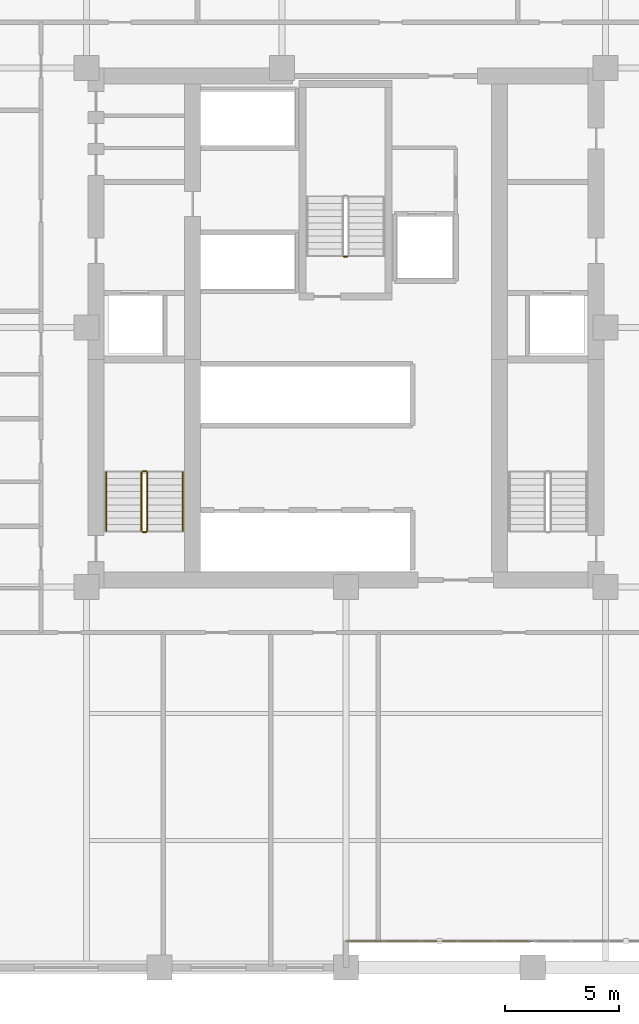
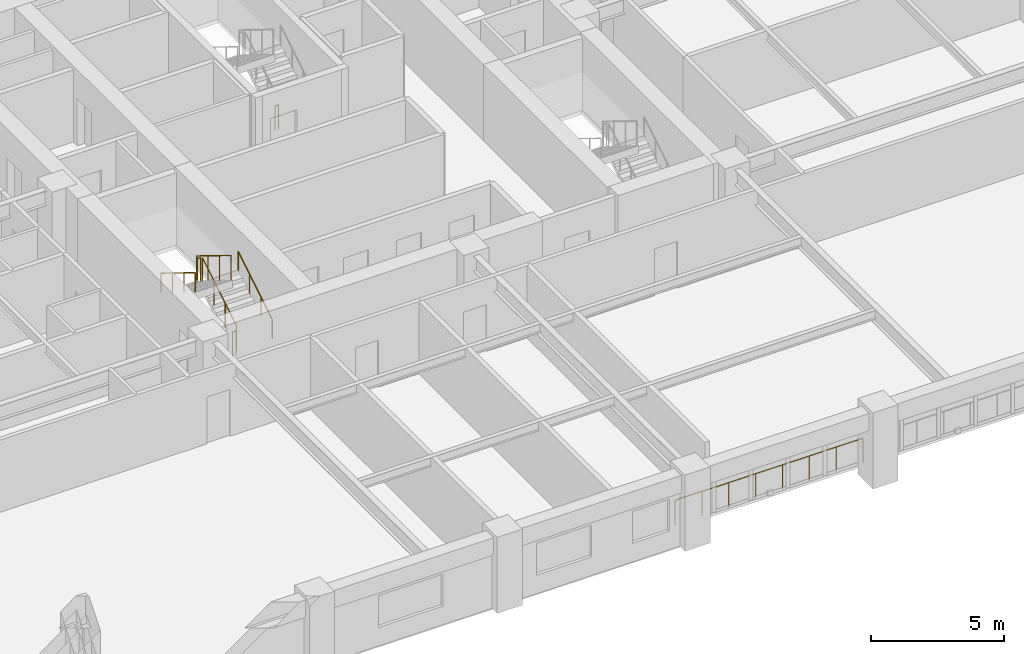
# One storey, part 12 of 13: 8 railings.
"""IFC4 building model written with IfcOpenShell, lengths in metres."""

from ifc_helpers import new_model, si_unit, direction, frame, origin, origin_2d, place, context, subcontext, project, spatial, circle, extrude, material, type_object, element, save


model = new_model("IFC4")

# Units and contexts
model_context = context("Model", 3, precision=1e-05, world=origin(), true_north=direction((0.0, 1.0)))
body_context = subcontext(model_context, "Body", "Model", "MODEL_VIEW")
ifc_project = project(units=[si_unit("LENGTHUNIT", "METRE"), si_unit("AREAUNIT", "SQUARE_METRE"), si_unit("VOLUMEUNIT", "CUBIC_METRE"), si_unit("PLANEANGLEUNIT", "RADIAN"), si_unit("MASSUNIT", "GRAM", prefix="KILO")], contexts=[model_context])

# Site, building, storey
site_placement = place(None, origin())
site = spatial("IfcSite", under=ifc_project, at=site_placement, CompositionType="ELEMENT")
building_placement = place(site_placement, origin())
building = spatial("IfcBuilding", under=site, at=building_placement, Name="Nhamokura Convention Tower", CompositionType="ELEMENT")
storey_placement = place(building_placement, frame((0.0, 0.0, 63.35009765625)))
storey = spatial("IfcBuildingStorey", under=building, at=storey_placement, Name="L14", CompositionType="ELEMENT", Elevation=63.35009765625)

# Railings
ifc_material_1 = material(Name="Anodised bronze stainless steel", Category="steel")
railing_type_1 = type_object("IfcRailingType", Name="StairWallHandrail_900", PredefinedType="HANDRAIL", material=ifc_material_1)
railing_1_placement = place(storey_placement, frame((24.85009765625, 23.10009765625, 0.1748046875)))
element("IfcRailing", 1, at=railing_1_placement, inside=storey, type_object=railing_type_1, Name="L14 ST-01 stair handrail 1", PredefinedType="HANDRAIL", context=body_context, shape_type="SweptSolid", body=[
    extrude(circle(Radius=0.02392578125, at=origin_2d()), frame((0.0, 0.0, 0.8759765625), z_axis=(0.0, 0.85213695991, 0.523318833556), x_axis=(-1.0, 0.0, 0.0)), (0.0, 0.0, 1.0), 3.010009765625),
    extrude(circle(Radius=0.02099609375, at=origin_2d()), origin(), (0.0, 0.0, 1.0), 0.851806640625),
    extrude(circle(Radius=0.02099609375, at=origin_2d()), frame((0.0, 0.85498046875, 0.525146484375)), (0.0, 0.0, 1.0), 0.851806640625),
    extrude(circle(Radius=0.02099609375, at=origin_2d()), frame((0.0, 1.7099609375, 1.050048828125)), (0.0, 0.0, 1.0), 0.851806640625),
    extrude(circle(Radius=0.02099609375, at=origin_2d()), frame((0.0, 2.56494140625, 1.5751953125)), (0.0, 0.0, 1.0), 0.851806640625),
])
railing_2_placement = place(storey_placement, frame((21.5, 25.6650390625, 1.9248046875)))
element("IfcRailing", 2, at=railing_2_placement, inside=storey, type_object=railing_type_1, Name="L14 ST-01 stair handrail 2", PredefinedType="HANDRAIL", context=body_context, shape_type="SweptSolid", body=[
    extrude(circle(Radius=0.02392578125, at=origin_2d()), frame((0.0, 0.0, 0.8759765625), z_axis=(0.0, -0.85213695991, 0.523318833556), x_axis=(1.0, 0.0, 0.0)), (0.0, 0.0, 1.0), 3.010009765625),
    extrude(circle(Radius=0.02099609375, at=origin_2d()), origin(), (0.0, 0.0, 1.0), 0.851806640625),
    extrude(circle(Radius=0.02099609375, at=origin_2d()), frame((0.0, -0.85498046875, 0.525146484375)), (0.0, 0.0, 1.0), 0.851806640625),
    extrude(circle(Radius=0.02099609375, at=origin_2d()), frame((0.0, -1.7099609375, 1.050048828125)), (0.0, 0.0, 1.0), 0.851806640625),
    extrude(circle(Radius=0.02099609375, at=origin_2d()), frame((0.0, -2.56494140625, 1.5751953125)), (0.0, 0.0, 1.0), 0.851806640625),
])
ifc_material_2 = material(Name="Painted tubular steel", Category="steel")
railing_type_2 = type_object("IfcRailingType", Name="StairWellGuardrail_1150", PredefinedType="GUARDRAIL", material=ifc_material_2)
railing_3_placement = place(storey_placement, frame((23.300048828125, 23.10009765625, 0.1748046875)))
element("IfcRailing", 3, at=railing_3_placement, inside=storey, type_object=railing_type_2, Name="L14 ST-01 stair guard 1", PredefinedType="GUARDRAIL", context=body_context, shape_type="SweptSolid", body=[
    extrude(circle(Radius=0.02392578125, at=origin_2d()), frame((0.0, 0.0, 1.1259765625), z_axis=(0.0, 0.85213695991, 0.523318833556), x_axis=(-1.0, 0.0, 0.0)), (0.0, 0.0, 1.0), 3.010009765625),
    extrude(circle(Radius=0.02099609375, at=origin_2d()), origin(), (0.0, 0.0, 1.0), 1.101806640625),
    extrude(circle(Radius=0.02099609375, at=origin_2d()), frame((0.0, 0.85498046875, 0.525146484375)), (0.0, 0.0, 1.0), 1.101806640625),
    extrude(circle(Radius=0.02099609375, at=origin_2d()), frame((0.0, 1.7099609375, 1.050048828125)), (0.0, 0.0, 1.0), 1.101806640625),
    extrude(circle(Radius=0.02099609375, at=origin_2d()), frame((0.0, 2.56494140625, 1.5751953125)), (0.0, 0.0, 1.0), 1.101806640625),
])
railing_4_placement = place(storey_placement, frame((23.25, 25.715087890625, 1.75)))
element("IfcRailing", 4, at=railing_4_placement, inside=storey, type_object=railing_type_2, Name="L14 ST-01 stair guard 2", PredefinedType="GUARDRAIL", context=body_context, shape_type="SweptSolid", body=[
    extrude(circle(Radius=0.02392578125, at=origin_2d()), frame((0.0, 0.0, 1.1259765625), z_axis=(-1.0, 0.0, 0.0), x_axis=(0.0, -1.0, 0.0)), (0.0, 0.0, 1.0), 0.14990234375),
    extrude(circle(Radius=0.02099609375, at=origin_2d()), origin(), (0.0, 0.0, 1.0), 1.101806640625),
    extrude(circle(Radius=0.02099609375, at=origin_2d()), frame((-0.14990234375, 0.0, 0.0)), (0.0, 0.0, 1.0), 1.101806640625),
])
railing_5_placement = place(storey_placement, frame((23.050048828125, 25.6650390625, 1.9248046875)))
element("IfcRailing", 5, at=railing_5_placement, inside=storey, type_object=railing_type_2, Name="L14 ST-01 stair guard 3", PredefinedType="GUARDRAIL", context=body_context, shape_type="SweptSolid", body=[
    extrude(circle(Radius=0.02392578125, at=origin_2d()), frame((0.0, 0.0, 1.1259765625), z_axis=(0.0, -0.85213695991, 0.523318833556), x_axis=(1.0, 0.0, 0.0)), (0.0, 0.0, 1.0), 3.010009765625),
    extrude(circle(Radius=0.02099609375, at=origin_2d()), origin(), (0.0, 0.0, 1.0), 1.101806640625),
    extrude(circle(Radius=0.02099609375, at=origin_2d()), frame((0.0, -0.85498046875, 0.525146484375)), (0.0, 0.0, 1.0), 1.101806640625),
    extrude(circle(Radius=0.02099609375, at=origin_2d()), frame((0.0, -1.7099609375, 1.050048828125)), (0.0, 0.0, 1.0), 1.101806640625),
    extrude(circle(Radius=0.02099609375, at=origin_2d()), frame((0.0, -2.56494140625, 1.5751953125)), (0.0, 0.0, 1.0), 1.101806640625),
])
railing_6_placement = place(storey_placement, frame((23.25, 23.050048828125, 0.0)))
element("IfcRailing", 6, at=railing_6_placement, inside=storey, type_object=railing_type_2, Name="L14 ST-01 stair guard 4", PredefinedType="GUARDRAIL", context=body_context, shape_type="SweptSolid", body=[
    extrude(circle(Radius=0.02392578125, at=origin_2d()), frame((0.0, 0.0, 1.1259765625), z_axis=(-1.0, 0.0, 0.0), x_axis=(0.0, -1.0, 0.0)), (0.0, 0.0, 1.0), 0.14990234375),
    extrude(circle(Radius=0.02099609375, at=origin_2d()), origin(), (0.0, 0.0, 1.0), 1.101806640625),
    extrude(circle(Radius=0.02099609375, at=origin_2d()), frame((-0.14990234375, 0.0, 0.0)), (0.0, 0.0, 1.0), 1.101806640625),
])
railing_7_placement = place(storey_placement, frame((32.050048828125, 35.10009765625, 0.0)))
element("IfcRailing", 7, at=railing_7_placement, inside=storey, type_object=railing_type_2, Name="L14 ST-03 stair guard 4", PredefinedType="GUARDRAIL", context=body_context, shape_type="SweptSolid", body=[
    extrude(circle(Radius=0.02392578125, at=origin_2d()), frame((0.0, 0.0, 1.1259765625), z_axis=(-1.0, 0.0, 0.0), x_axis=(0.0, -1.0, 0.0)), (0.0, 0.0, 1.0), 0.150146484375),
    extrude(circle(Radius=0.02099609375, at=origin_2d()), origin(), (0.0, 0.0, 1.0), 1.101806640625),
    extrude(circle(Radius=0.02099609375, at=origin_2d()), frame((-0.150146484375, 0.0, 0.0)), (0.0, 0.0, 1.0), 1.101806640625),
])
ifc_material_3 = material(Name="Anodised bronze stainless steel", Category="steel")
railing_type_3 = type_object("IfcRailingType", Name="TerraceGuardrail_1150", PredefinedType="GUARDRAIL", material=ifc_material_3)
railing_8_placement = place(storey_placement, frame((40.166748046875, 5.14990234375, 0.0)))
element("IfcRailing", 8, at=railing_8_placement, inside=storey, type_object=railing_type_3, Name="L14 Scale-Slot Edge Guardrail SOUTH 3", PredefinedType="GUARDRAIL", context=body_context, shape_type="SweptSolid", body=[
    extrude(circle(Radius=0.02392578125, at=origin_2d()), frame((0.0, 0.0, 1.1259765625), z_axis=(-1.0, 0.0, 0.0), x_axis=(0.0, -1.0, 0.0)), (0.0, 0.0, 1.0), 8.166748046875),
    extrude(circle(Radius=0.02099609375, at=origin_2d()), origin(), (0.0, 0.0, 1.0), 1.101806640625),
    extrude(circle(Radius=0.02099609375, at=origin_2d()), frame((-1.166748046875, 0.0, 0.0)), (0.0, 0.0, 1.0), 1.101806640625),
    extrude(circle(Radius=0.02099609375, at=origin_2d()), frame((-2.333251953125, 0.0, 0.0)), (0.0, 0.0, 1.0), 1.101806640625),
    extrude(circle(Radius=0.02099609375, at=origin_2d()), frame((-3.5, 0.0, 0.0)), (0.0, 0.0, 1.0), 1.101806640625),
    extrude(circle(Radius=0.02099609375, at=origin_2d()), frame((-4.666748046875, 0.0, 0.0)), (0.0, 0.0, 1.0), 1.101806640625),
    extrude(circle(Radius=0.02099609375, at=origin_2d()), frame((-5.83349609375, 0.0, 0.0)), (0.0, 0.0, 1.0), 1.101806640625),
    extrude(circle(Radius=0.02099609375, at=origin_2d()), frame((-7.0, 0.0, 0.0)), (0.0, 0.0, 1.0), 1.101806640625),
    extrude(circle(Radius=0.02099609375, at=origin_2d()), frame((-8.166748046875, 0.0, 0.0)), (0.0, 0.0, 1.0), 1.101806640625),
])

save(model, "model.ifc")
